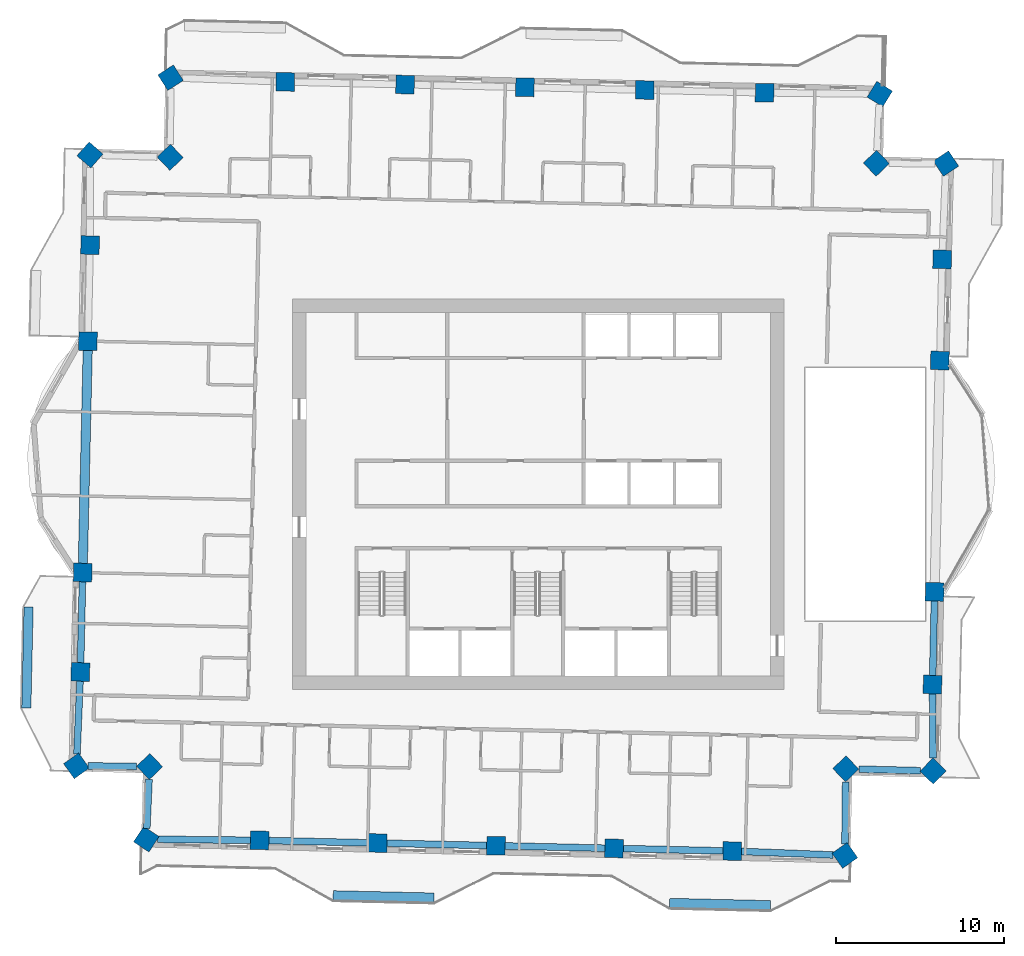
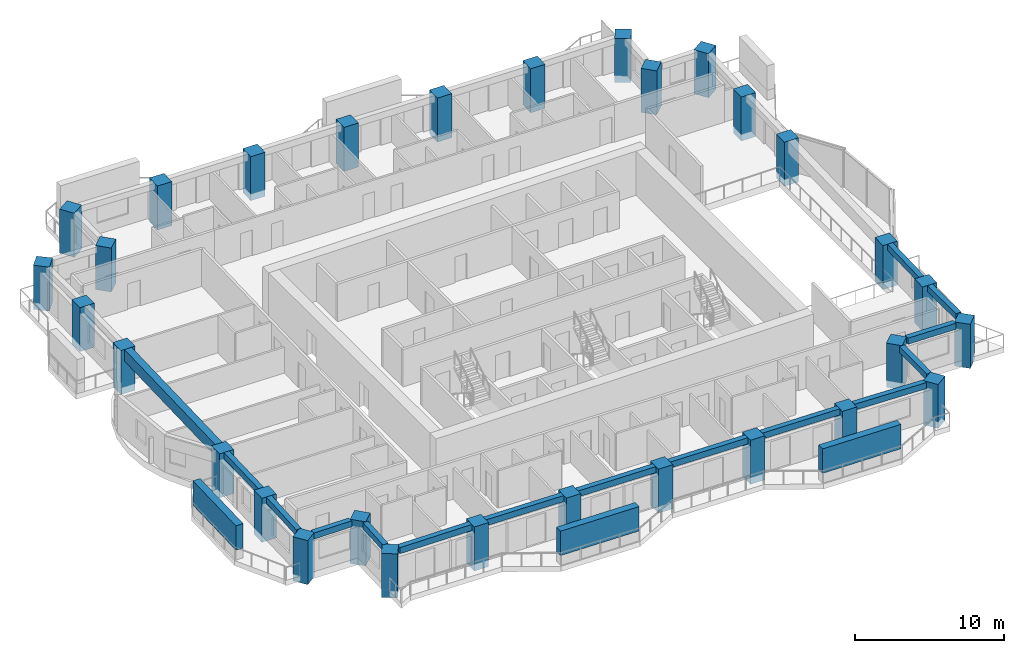
# One storey, part 1 of 16: 30 columns, 15 beams, 3 members.
"""IFC4 building model written with IfcOpenShell, lengths in metres."""

from ifc_helpers import new_model, si_unit, direction, frame, origin, origin_2d, place, context, subcontext, project, spatial, rectangle, extrude, material, material_profile, profile_set, type_object, element, save


model = new_model("IFC4")

# Units and contexts
model_context = context("Model", 3, precision=1e-05, world=origin(), true_north=direction((0.0, 1.0)))
body_context = subcontext(model_context, "Body", "Model", "MODEL_VIEW")
ifc_project = project(units=[si_unit("LENGTHUNIT", "METRE"), si_unit("AREAUNIT", "SQUARE_METRE"), si_unit("VOLUMEUNIT", "CUBIC_METRE"), si_unit("PLANEANGLEUNIT", "RADIAN"), si_unit("MASSUNIT", "GRAM", prefix="KILO")], contexts=[model_context])

# Site, building, storey
site_placement = place(None, origin())
site = spatial("IfcSite", under=ifc_project, at=site_placement, CompositionType="ELEMENT")
building_placement = place(site_placement, origin())
building = spatial("IfcBuilding", under=site, at=building_placement, Name="Mangrove Gate Tower", CompositionType="ELEMENT")
storey_placement = place(building_placement, frame((0.0, 0.0, 212.300048828125)))
storey = spatial("IfcBuildingStorey", under=building, at=storey_placement, Name="L54", CompositionType="ELEMENT", Elevation=212.300048828125)

# Columns
ifc_material_1 = material(Name="Concrete C60/75", Category="concrete")
ifc_material_profile_1 = material_profile(ifc_material_1, rectangle(XDim=1.10009765625, YDim=1.10009765625, at=origin_2d()))
ifc_profile_set_1 = profile_set([ifc_material_profile_1], Name="Concrete C60/75")
column_type = type_object("IfcColumnType", Name="Column RC 1100x1100 C60/75", PredefinedType="COLUMN", material=ifc_profile_set_1)
for number, where, z_axis, x_axis, name in (
    (1, (-27.071044921875, -4.6494140625, -0.550048828125), (0.0, 0.0, 1.0), (-0.02268213383, -0.999742727308, 0.0), "Column L54 W05"),
    (2, (-27.205078125, -10.5595703125, -0.550048828125), (0.0, 0.0, 1.0), (-0.022750219004, -0.999741180274, 0.0), "Column L54 W06"),
    (3, (-27.44140625, -16.139892578125, -0.550048828125), (0.0, 0.0, 1.0), (0.578578159923, -0.815626944663, 0.0), "Column L54 W07"),
    (4, (-23.09326171875, -16.177978515625, -0.550048828125), (0.0, 0.0, 1.0), (0.690854032309, -0.722994264183, 0.0), "Column L54 W08"),
    (5, (-23.28857421875, -20.49755859375, -0.550048828125), (0.0, 0.0, 1.0), (0.835228982997, -0.549902305834, 0.0), "Column L54 S01"),
    (6, (-16.555419921875, -20.566162109375, -0.550048828125), (0.0, 0.0, 1.0), (0.999742166043, -0.022706858776, 0.0), "Column L54 S02"),
    (7, (-9.533447265625, -20.72607421875, -0.550048828125), (0.0, 0.0, 1.0), (0.999742129581, -0.022708464065, 0.0), "Column L54 S03"),
    (8, (-2.511474609375, -20.88525390625, -0.550048828125), (0.0, 0.0, 1.0), (0.999743742918, -0.022637325283, 0.0), "Column L54 S04"),
    (9, (4.510498046875, -21.044189453125, -0.550048828125), (0.0, 0.0, 1.0), (0.999742129581, -0.022708464065, 0.0), "Column L54 S05"),
    (10, (11.532470703125, -21.2041015625, -0.550048828125), (0.0, 0.0, 1.0), (0.999742166043, -0.022706858776, 0.0), "Column L54 S06"),
    (11, (18.225830078125, -21.463623046875, -0.550048828125), (0.0, 0.0, 1.0), (0.817005906944, 0.576629298612, 0.0), "Column L54 S07"),
    (12, (18.281005859375, -16.31640625, -0.550048828125), (0.0, 0.0, 1.0), (0.722904645442, 0.690947808158, 0.0), "Column L54 E01"),
    (13, (23.467529296875, -16.445556640625, -0.550048828125), (0.0, 0.0, 1.0), (0.702472771276, 0.711710619294, 0.0), "Column L54 E02"),
    (14, (23.43408203125, -11.30859375, -0.550048828125), (0.0, 0.0, 1.0), (0.022678138054, 0.999742817956, 0.0), "Column L54 E03"),
    (15, (23.55908203125, -5.798583984375, -0.550048828125), (0.0, 0.0, 1.0), (0.022686024913, 0.999742639019, 0.0), "Column L54 E04"),
    (16, (23.87109375, 7.949462890625, -0.550048828125), (0.0, 0.0, 1.0), (0.022719107826, 0.999741887759, 0.0), "Column L54 E05"),
    (17, (24.008056640625, 13.95947265625, -0.550048828125), (0.0, 0.0, 1.0), (0.022704398496, 0.99974222192, 0.0), "Column L54 E06"),
    (18, (24.236083984375, 19.6533203125, -0.550048828125), (0.0, 0.0, 1.0), (-0.553976303186, 0.832532435109, 0.0), "Column L54 E07"),
    (19, (20.097412109375, 19.673095703125, -0.550048828125), (0.0, 0.0, 1.0), (-0.69093208713, 0.722919671176, 0.0), "Column L54 E08"),
    (20, (20.300048828125, 23.78466796875, -0.550048828125), (0.0, 0.0, 1.0), (-0.849671924518, 0.527311692157, 0.0), "Column L54 N01"),
    (21, (13.45556640625, 23.8642578125, -0.550048828125), (0.0, 0.0, 1.0), (-0.999741400599, 0.022740534932, 0.0), "Column L54 N02"),
    (22, (6.33349609375, 24.026123046875, -0.550048828125), (0.0, 0.0, 1.0), (-0.999742993665, 0.022670390785, 0.0), "Column L54 N03"),
    (23, (-0.78857421875, 24.187255859375, -0.550048828125), (0.0, 0.0, 1.0), (-0.999742993665, 0.022670390785, 0.0), "Column L54 N04"),
    (24, (-7.910400390625, 24.34912109375, -0.550048828125), (0.0, 0.0, 1.0), (-0.999742993665, 0.022670390785, 0.0), "Column L54 N05"),
    (25, (-15.032470703125, 24.51025390625, -0.550048828125), (0.0, 0.0, 1.0), (-0.999742993665, 0.022670390785, 0.0), "Column L54 N06"),
    (26, (-21.84521484375, 24.759033203125, -0.550048828125), (0.0, 0.0, 1.0), (-0.841786903105, -0.539809975603, 0.0), "Column L54 N07"),
    (27, (-21.87109375, 20.025390625, -0.550048828125), (0.0, 0.0, 1.0), (-0.722980880026, -0.690868038859, 0.0), "Column L54 W01"),
    (28, (-26.636962890625, 20.168701171875, -0.550048828125), (0.0, 0.0, 1.0), (-0.660570488369, -0.750764030769, 0.0), "Column L54 W02"),
    (29, (-26.630126953125, 14.80859375, -0.550048828125), (0.0, 0.0, 1.0), (-0.022671699445, -0.999742963988, 0.0), "Column L54 W03"),
    (30, (-26.759033203125, 9.0986328125, -0.550048828125), (0.0, 0.0, 1.0), (-0.022658386004, -0.999743265816, 0.0), "Column L54 W04"),
):
    element("IfcColumn", number, at=place(storey_placement, frame(where, z_axis=z_axis, x_axis=x_axis)), inside=storey, type_object=column_type, Name=name, PredefinedType="COLUMN", context=body_context, shape_type="SweptSolid", body=[
        extrude(rectangle(XDim=1.10009765625, YDim=1.10009765625, at=origin_2d()), origin(), (0.0, 0.0, 1.0), 3.60009765625),
    ])

# Members
ifc_material_2 = material(Name="Planting on aluminium trellis", Category="aluminium")
ifc_material_profile_2 = material_profile(ifc_material_2, rectangle(XDim=0.550048828125, YDim=2.0, at=origin_2d()))
ifc_profile_set_2 = profile_set([ifc_material_profile_2], Name="Planting on aluminium trellis")
member_type = type_object("IfcMemberType", Name="Balcony greenery screen 550x2000", PredefinedType="USERDEFINED", material=ifc_profile_set_2)
member_1_placement = place(storey_placement, frame((-30.419921875, -12.699951171875, 1.800048828125), z_axis=(0.022662255828, 0.999743178102, 0.0), x_axis=(-0.999743178102, 0.022662255828, 0.0)))
element("IfcMember", 31, at=member_1_placement, inside=storey, type_object=member_type, Name="GREEN SCREEN L54 W1.1", ObjectType="PLANTING", PredefinedType="USERDEFINED", context=body_context, shape_type="SweptSolid", body=[
    extrude(rectangle(XDim=0.550048828125, YDim=2.0, at=origin_2d()), origin(), (0.0, 0.0, 1.0), 6.00048828125),
])
member_2_placement = place(storey_placement, frame((-12.180908203125, -23.8310546875, 1.800048828125), z_axis=(0.999739371644, -0.02282955947, 0.0), x_axis=(0.02282955947, 0.999739371644, 0.0)))
element("IfcMember", 32, at=member_2_placement, inside=storey, type_object=member_type, Name="GREEN SCREEN L54 S0.1", ObjectType="PLANTING", PredefinedType="USERDEFINED", context=body_context, shape_type="SweptSolid", body=[
    extrude(rectangle(XDim=0.550048828125, YDim=2.0, at=origin_2d()), origin(), (0.0, 0.0, 1.0), 5.999267578125),
])
member_3_placement = place(storey_placement, frame((7.81396484375, -24.284912109375, 1.800048828125), z_axis=(0.999743094499, -0.022665943652, 0.0), x_axis=(0.022665943652, 0.999743094499, 0.0)))
element("IfcMember", 33, at=member_3_placement, inside=storey, type_object=member_type, Name="GREEN SCREEN L54 S1.1", ObjectType="PLANTING", PredefinedType="USERDEFINED", context=body_context, shape_type="SweptSolid", body=[
    extrude(rectangle(XDim=0.550048828125, YDim=2.0, at=origin_2d()), origin(), (0.0, 0.0, 1.0), 5.99951171875),
])

# Beams
ifc_material_3 = material(Name="Concrete C50/60", Category="concrete")
ifc_material_profile_3 = material_profile(ifc_material_3, rectangle(XDim=0.39990234375, YDim=0.5, at=origin_2d()))
ifc_profile_set_3 = profile_set([ifc_material_profile_3], Name="Concrete C50/60")
beam_type_1 = type_object("IfcBeamType", Name="Edge beam RC 400x500 C50/60", PredefinedType="BEAM", material=ifc_profile_set_3)
beam_1_placement = place(storey_placement, frame((-27.08349609375, -5.19921875, 2.800048828125), z_axis=(-0.022679913805, -0.999742777673, 0.0), x_axis=(0.999742777673, -0.022679913805, 0.0)))
element("IfcBeam", 34, at=beam_1_placement, inside=storey, type_object=beam_type_1, Name="Edge beam L54 00", PredefinedType="BEAM", context=body_context, shape_type="SweptSolid", body=[
    extrude(rectangle(XDim=0.39990234375, YDim=0.5, at=origin_2d()), origin(), (0.0, 0.0, 1.0), 4.811767578125),
])
beam_2_placement = place(storey_placement, frame((-27.228515625, -11.109130859375, 2.800048828125), z_axis=(-0.042253030375, -0.999106941936, 0.0), x_axis=(0.999106941936, -0.042253030375, 0.0)))
element("IfcBeam", 35, at=beam_2_placement, inside=storey, type_object=beam_type_1, Name="Edge beam L54 01", PredefinedType="BEAM", context=body_context, shape_type="SweptSolid", body=[
    extrude(rectangle(XDim=0.39990234375, YDim=0.5, at=origin_2d()), origin(), (0.0, 0.0, 1.0), 4.33935546875),
])
beam_3_placement = place(storey_placement, frame((-26.762939453125, -16.145751953125, 2.800048828125), z_axis=(0.999960996319, -0.008832091572, 0.0), x_axis=(0.008832091572, 0.999960996319, 0.0)))
element("IfcBeam", 36, at=beam_3_placement, inside=storey, type_object=beam_type_1, Name="Edge beam L54 02", PredefinedType="BEAM", context=body_context, shape_type="SweptSolid", body=[
    extrude(rectangle(XDim=0.39990234375, YDim=0.5, at=origin_2d()), origin(), (0.0, 0.0, 1.0), 2.90234375),
])
beam_4_placement = place(storey_placement, frame((-23.127685546875, -16.938232421875, 2.800048828125), z_axis=(-0.045187907282, -0.998978504792, 0.0), x_axis=(0.998978504792, -0.045187907282, 0.0)))
element("IfcBeam", 37, at=beam_4_placement, inside=storey, type_object=beam_type_1, Name="Edge beam L54 03", PredefinedType="BEAM", context=body_context, shape_type="SweptSolid", body=[
    extrude(rectangle(XDim=0.39990234375, YDim=0.5, at=origin_2d()), origin(), (0.0, 0.0, 1.0), 2.9228515625),
])
beam_5_placement = place(storey_placement, frame((-22.634521484375, -20.50439453125, 2.800048828125), z_axis=(0.999948433136, -0.010155346828, 0.0), x_axis=(0.010155346828, 0.999948433136, 0.0)))
element("IfcBeam", 38, at=beam_5_placement, inside=storey, type_object=beam_type_1, Name="Edge beam L54 04", PredefinedType="BEAM", context=body_context, shape_type="SweptSolid", body=[
    extrude(rectangle(XDim=0.39990234375, YDim=0.5, at=origin_2d()), origin(), (0.0, 0.0, 1.0), 5.529296875),
])
beam_6_placement = place(storey_placement, frame((-16.005615234375, -20.57861328125, 2.800048828125), z_axis=(0.999740258675, -0.022790681963, 0.0), x_axis=(0.022790681963, 0.999740258675, 0.0)))
element("IfcBeam", 39, at=beam_6_placement, inside=storey, type_object=beam_type_1, Name="Edge beam L54 05", PredefinedType="BEAM", context=body_context, shape_type="SweptSolid", body=[
    extrude(rectangle(XDim=0.39990234375, YDim=0.5, at=origin_2d()), origin(), (0.0, 0.0, 1.0), 5.923828125),
])
beam_7_placement = place(storey_placement, frame((-8.983642578125, -20.738525390625, 2.800048828125), z_axis=(0.999743046941, -0.022668041218, 0.0), x_axis=(0.022668041218, 0.999743046941, 0.0)))
element("IfcBeam", 40, at=beam_7_placement, inside=storey, type_object=beam_type_1, Name="Edge beam L54 06", PredefinedType="BEAM", context=body_context, shape_type="SweptSolid", body=[
    extrude(rectangle(XDim=0.39990234375, YDim=0.5, at=origin_2d()), origin(), (0.0, 0.0, 1.0), 5.923583984375),
])
for number, where, z_axis, x_axis, name in (
    (41, (-1.961669921875, -20.897705078125, 2.800048828125), (0.999744001208, -0.022625915437, 0.0), (0.022625915437, 0.999744001208, 0.0), "Edge beam L54 07"),
    (42, (5.060302734375, -21.056640625, 2.800048828125), (0.999740258675, -0.022790681963, 0.0), (0.022790681963, 0.999740258675, 0.0), "Edge beam L54 08"),
):
    element("IfcBeam", number, at=place(storey_placement, frame(where, z_axis=z_axis, x_axis=x_axis)), inside=storey, type_object=beam_type_1, Name=name, PredefinedType="BEAM", context=body_context, shape_type="SweptSolid", body=[
        extrude(rectangle(XDim=0.39990234375, YDim=0.5, at=origin_2d()), origin(), (0.0, 0.0, 1.0), 5.923828125),
    ])
beam_8_placement = place(storey_placement, frame((12.08203125, -21.225341796875, 2.800048828125), z_axis=(0.999248829051, -0.038752775905, 0.0), x_axis=(0.038752775905, 0.999248829051, 0.0)))
element("IfcBeam", 43, at=beam_8_placement, inside=storey, type_object=beam_type_1, Name="Edge beam L54 09", PredefinedType="BEAM", context=body_context, shape_type="SweptSolid", body=[
    extrude(rectangle(XDim=0.39990234375, YDim=0.5, at=origin_2d()), origin(), (0.0, 0.0, 1.0), 5.455810546875),
])
beam_9_placement = place(storey_placement, frame((18.233154296875, -20.785400390625, 2.800048828125), z_axis=(0.010688225551, 0.999942879286, 0.0), x_axis=(-0.999942879286, 0.010688225551, 0.0)))
element("IfcBeam", 44, at=beam_9_placement, inside=storey, type_object=beam_type_1, Name="Edge beam L54 10", PredefinedType="BEAM", context=body_context, shape_type="SweptSolid", body=[
    extrude(rectangle(XDim=0.39990234375, YDim=0.5, at=origin_2d()), origin(), (0.0, 0.0, 1.0), 3.700439453125),
])
beam_10_placement = place(storey_placement, frame((19.056640625, -16.335693359375, 2.800048828125), z_axis=(0.999690059684, -0.024895472844, 0.0), x_axis=(0.024895472844, 0.999690059684, 0.0)))
element("IfcBeam", 45, at=beam_10_placement, inside=storey, type_object=beam_type_1, Name="Edge beam L54 11", PredefinedType="BEAM", context=body_context, shape_type="SweptSolid", body=[
    extrude(rectangle(XDim=0.39990234375, YDim=0.5, at=origin_2d()), origin(), (0.0, 0.0, 1.0), 3.657958984375),
])
beam_11_placement = place(storey_placement, frame((23.46240234375, -15.66796875, 2.800048828125), z_axis=(-0.006472978533, 0.999979050055, 0.0), x_axis=(-0.999979050055, -0.006472978533, 0.0)))
element("IfcBeam", 46, at=beam_11_placement, inside=storey, type_object=beam_type_1, Name="Edge beam L54 12", PredefinedType="BEAM", context=body_context, shape_type="SweptSolid", body=[
    extrude(rectangle(XDim=0.39990234375, YDim=0.5, at=origin_2d()), origin(), (0.0, 0.0, 1.0), 3.809326171875),
])
beam_12_placement = place(storey_placement, frame((23.446533203125, -10.7587890625, 2.800048828125), z_axis=(0.022689977593, 0.999742549318, 0.0), x_axis=(-0.999742549318, 0.022689977593, 0.0)))
element("IfcBeam", 47, at=beam_12_placement, inside=storey, type_object=beam_type_1, Name="Edge beam L54 13", PredefinedType="BEAM", context=body_context, shape_type="SweptSolid", body=[
    extrude(rectangle(XDim=0.39990234375, YDim=0.5, at=origin_2d()), origin(), (0.0, 0.0, 1.0), 4.41162109375),
])
ifc_material_4 = material(Name="Concrete C50/60", Category="concrete")
ifc_material_profile_4 = material_profile(ifc_material_4, rectangle(XDim=0.550048828125, YDim=0.949951171875, at=origin_2d()))
ifc_profile_set_4 = profile_set([ifc_material_profile_4], Name="Concrete C50/60")
beam_type_2 = type_object("IfcBeamType", Name="Edge beam RC 550x950 C50/60", PredefinedType="BEAM", material=ifc_profile_set_4)
beam_13_placement = place(storey_placement, frame((-26.771728515625, 8.548583984375, 2.574951171875), z_axis=(-0.02267450167, -0.999742900437, 0.0), x_axis=(0.999742900437, -0.02267450167, 0.0)))
element("IfcBeam", 48, at=beam_13_placement, inside=storey, type_object=beam_type_2, Name="Edge beam L54 29", PredefinedType="BEAM", context=body_context, shape_type="SweptSolid", body=[
    extrude(rectangle(XDim=0.550048828125, YDim=0.949951171875, at=origin_2d()), origin(), (0.0, 0.0, 1.0), 12.6513671875),
])

save(model, "model.ifc")
